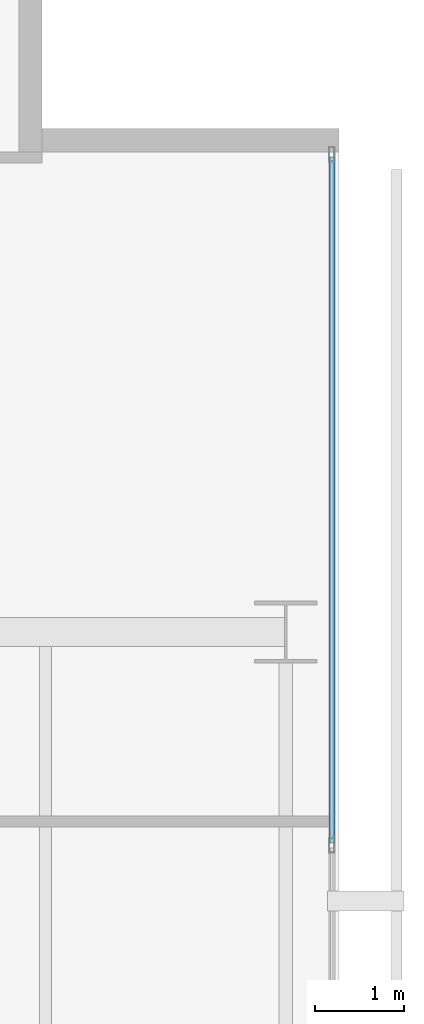
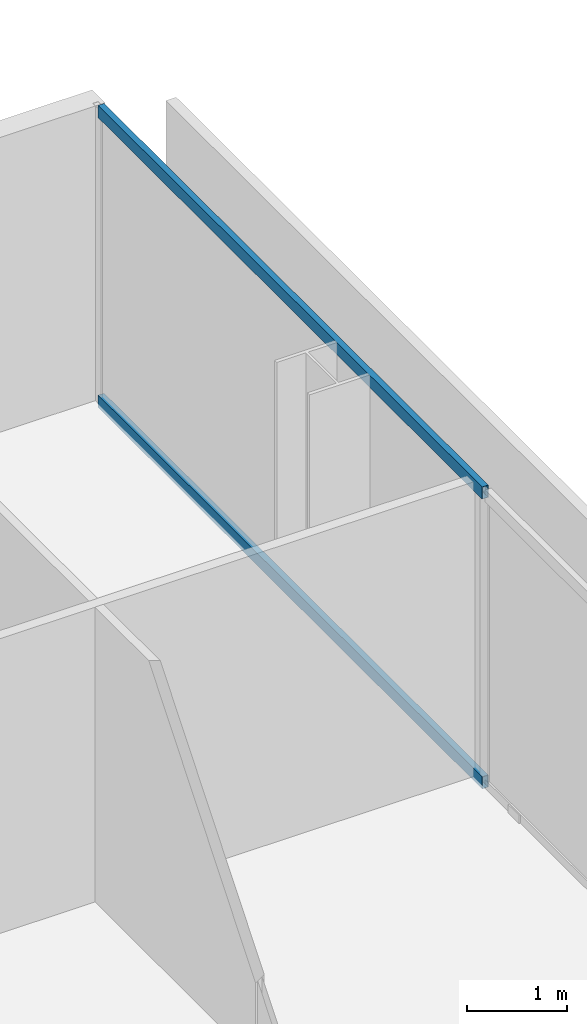
# One storey, part 29 of 40: 2 members, 1 element without a shape of its own.
"""IFC4 building model written with IfcOpenShell, lengths in metres."""

from ifc_helpers import new_model, si_unit, direction, frame, origin, origin_2d, place, context, subcontext, project, spatial, hollow_rectangle, extrude, material, layer, layer_set, material_profile, profile_set, type_object, element, aggregate, save


model = new_model("IFC4")

# Units and contexts
model_context = context("Model", 3, precision=1e-05, world=origin(), true_north=direction((0.0, 1.0)))
body_context = subcontext(model_context, "Body", "Model", "MODEL_VIEW")
ifc_project = project(units=[si_unit("LENGTHUNIT", "METRE"), si_unit("AREAUNIT", "SQUARE_METRE"), si_unit("VOLUMEUNIT", "CUBIC_METRE"), si_unit("PLANEANGLEUNIT", "RADIAN"), si_unit("MASSUNIT", "GRAM", prefix="KILO")], contexts=[model_context])

# Site, building, storey
site_placement = place(None, origin())
site = spatial("IfcSite", under=ifc_project, at=site_placement, CompositionType="ELEMENT")
building_placement = place(site_placement, origin())
building = spatial("IfcBuilding", under=site, at=building_placement, Name="Maruvema Waterfront Hotel and Observation Tower", CompositionType="ELEMENT")
storey_placement = place(building_placement, frame((0.0, 0.0, 100.10009765625)))
storey = spatial("IfcBuildingStorey", under=building, at=storey_placement, Name="L24", CompositionType="ELEMENT", Elevation=100.10009765625)

# Curtain wall, members
ifc_material_1 = material(Name="Anodised bronze aluminium and solar-control low-E IGU", Category="aluminium")
ifc_layer = layer(ifc_material_1, 0.159912109375, Name="Zone 1 Bronze Inner Thermal Curtain Wall System CW-02")
ifc_layer_set = layer_set([ifc_layer], Name="Anodised bronze aluminium and solar-control low-E IGU")
curtain_wall_type = type_object("IfcCurtainWallType", Name="Zone 1 Bronze Inner Thermal Curtain Wall System CW-02", PredefinedType="USERDEFINED", material=ifc_layer_set)
curtain_wall_placement = place(storey_placement, origin())
curtain_wall = element("IfcCurtainWall", 1, at=curtain_wall_placement, inside=storey, type_object=curtain_wall_type, Name="L24 Curtain Wall CW-L24-E", ObjectType="UNITISED CURTAIN WALL", PredefinedType="USERDEFINED")
ifc_material_2 = material(Name="Anodised architectural bronze aluminium", Category="aluminium")
ifc_material_profile = material_profile(ifc_material_2, hollow_rectangle(XDim=0.070068359375, YDim=0.14990234375, WallThickness=0.00390625, at=origin_2d()), Name="ALU-T70x150")
ifc_profile_set = profile_set([ifc_material_profile], Name="Anodised architectural bronze aluminium")
member_type = type_object("IfcMemberType", Name="Curtain Wall Horizontal Transom ALU-T70x150", PredefinedType="USERDEFINED", material=ifc_profile_set)
member_1_placement = place(storey_placement, frame((64.719970703125, 42.6298828125, 0.02978515625), z_axis=(0.0, 1.0, 0.0), x_axis=(-1.0, 0.0, 0.0)))
member_1 = element("IfcMember", 2, at=member_1_placement, type_object=member_type, Name="CW-02 transom 6.1", ObjectType="TRANSOM", PredefinedType="USERDEFINED", context=body_context, shape_type="SweptSolid", body=[
    extrude(hollow_rectangle(XDim=0.070068359375, YDim=0.14990234375, WallThickness=0.00390625, at=origin_2d()), origin(), (0.0, 0.0, 1.0), 7.710205078125),
])
member_2_placement = place(storey_placement, frame((64.719970703125, 42.6298828125, 3.579833984375), z_axis=(0.0, 1.0, 0.0), x_axis=(-1.0, 0.0, 0.0)))
member_2 = element("IfcMember", 3, at=member_2_placement, type_object=member_type, Name="CW-02 transom 6.2", ObjectType="TRANSOM", PredefinedType="USERDEFINED", context=body_context, shape_type="SweptSolid", body=[
    extrude(hollow_rectangle(XDim=0.070068359375, YDim=0.14990234375, WallThickness=0.00390625, at=origin_2d()), origin(), (0.0, 0.0, 1.0), 7.710205078125),
])
aggregate(curtain_wall, [member_1, member_2])

save(model, "model.ifc")
